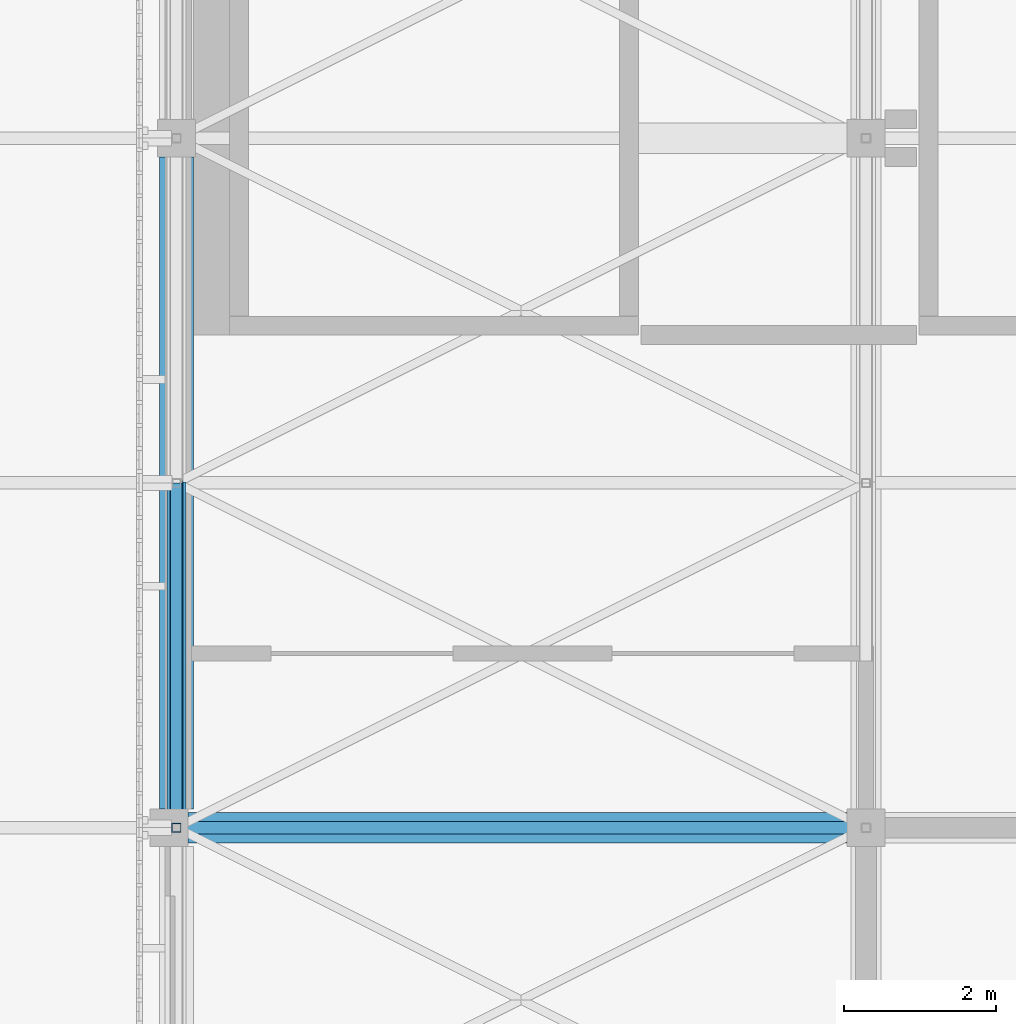
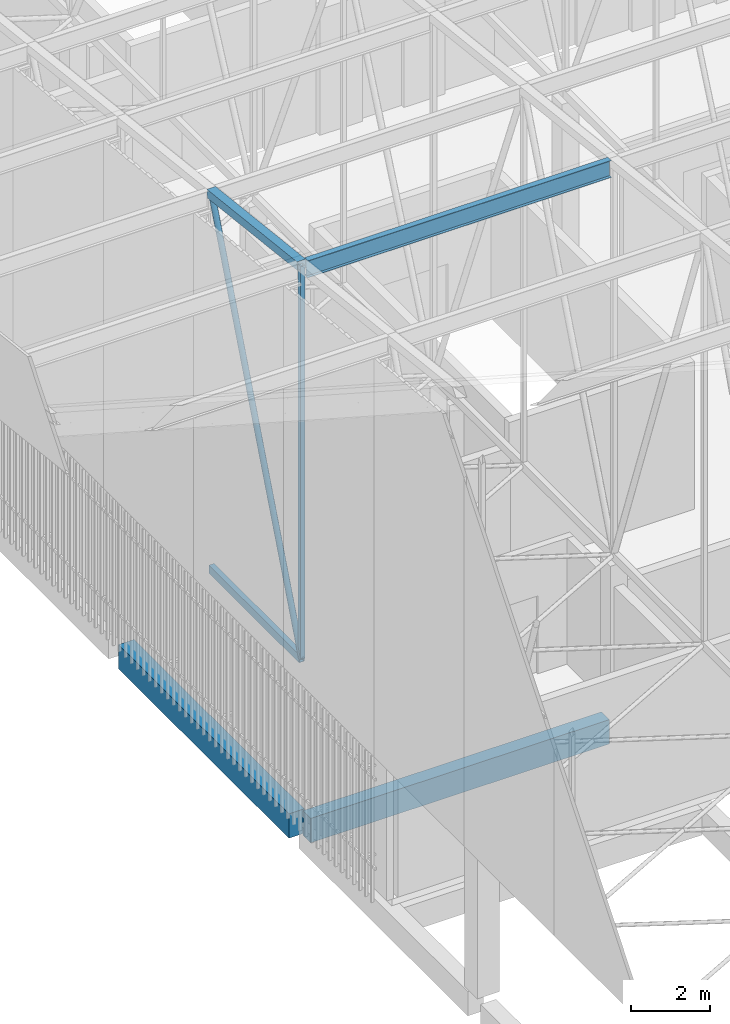
# One storey, part 179 of 500: 5 members, 2 beams.
"""IFC4 building model written with IfcOpenShell, lengths in metres."""

import ifcopenshell
import ifcopenshell.guid

model = None  # the IFC model being written
_history = None  # IfcOwnerHistory: only IFC2X3 demands one
_inside = {}  # id of a spatial element -> (the spatial element, [elements in it])
_under = {}  # id of a project, library or spatial element -> (it, [spatial elements below it])
_declared = {}  # id of a project -> (the project, [libraries it declares])
_typed = {}  # id of a type object -> (the type object, [elements of that type])
_made_of = {}  # id of a material, layer set ... -> (it, [elements and type objects made of it])


def new_model(schema):
    """Start an empty IFC model of exactly this schema.

    Asked for "IFC4X3", IfcOpenShell would pick the latest addendum, in which some entities
    have other attributes; the version numbers below select the first issue.
    IFC2X3 requires an IfcOwnerHistory on every rooted entity: one is made here for all.
    """
    global model, _history
    if schema == "IFC4X3":
        model = ifcopenshell.file(schema_version=(4, 3, 0, 0))
    else:
        model = ifcopenshell.file(schema=schema)
    _inside.clear()
    _under.clear()
    _declared.clear()
    _typed.clear()
    _made_of.clear()
    _history = None
    if model.schema == "IFC2X3":
        org = make("IfcOrganization", Name="unknown")
        user = make(
            "IfcPersonAndOrganization",
            ThePerson=make("IfcPerson", FamilyName="unknown"),
            TheOrganization=org,
        )
        app = make(
            "IfcApplication",
            ApplicationDeveloper=org,
            Version="unknown",
            ApplicationFullName="unknown",
            ApplicationIdentifier="unknown",
        )
        _history = make(
            "IfcOwnerHistory",
            OwningUser=user,
            OwningApplication=app,
            ChangeAction="ADDED",
            CreationDate=0,
        )
    return model


def make(cls, **values):
    """One entity of the class cls with the attributes given. An attribute that is None is left unset."""
    return model.create_entity(
        cls, **{name: value for name, value in values.items() if value is not None}
    )


def rooted(cls, **values):
    """An entity with a GlobalId (a new one), such as an element, a storey or a relation."""
    return make(cls, GlobalId=ifcopenshell.guid.new(), OwnerHistory=_history, **values)


def si_unit(unit_type, name, prefix=None):
    """IfcSIUnit, for example si_unit("LENGTHUNIT", "METRE", prefix="MILLI")."""
    return make("IfcSIUnit", UnitType=unit_type, Prefix=prefix, Name=name)


def assignment(units):
    """IfcUnitAssignment: the units of a project."""
    return None if units is None else make("IfcUnitAssignment", Units=units)


def point(xyz):
    """IfcCartesianPoint."""
    return None if xyz is None else make("IfcCartesianPoint", Coordinates=xyz)


def direction(xyz):
    """IfcDirection."""
    return None if xyz is None else make("IfcDirection", DirectionRatios=xyz)


def frame(location, z_axis=None, x_axis=None):
    """IfcAxis2Placement3D, a coordinate frame: its origin and axes. An axis left out is left unset."""
    return make(
        "IfcAxis2Placement3D",
        Location=point(location),
        Axis=direction(z_axis),
        RefDirection=direction(x_axis),
    )


def frame_2d(location, x_axis=None):
    """IfcAxis2Placement2D, a coordinate frame in the plane: its origin and x axis."""
    return make(
        "IfcAxis2Placement2D", Location=point(location), RefDirection=direction(x_axis)
    )


def origin():
    """The frame at (0, 0, 0) with its axes left unset."""
    return frame((0.0, 0.0, 0.0))


def origin_2d():
    """The frame at (0, 0) in the plane with its x axis left unset."""
    return frame_2d((0.0, 0.0))


def place(relative_to, where):
    """IfcLocalPlacement: puts the frame where relative to a parent placement (None: the world)."""
    return make(
        "IfcLocalPlacement", PlacementRelTo=relative_to, RelativePlacement=where
    )


def context(
    kind, dimensions, precision=None, world=None, true_north=None, identifier=None
):
    """IfcGeometricRepresentationContext, for example the 3D "Model" context."""
    return make(
        "IfcGeometricRepresentationContext",
        ContextIdentifier=identifier,
        ContextType=kind,
        CoordinateSpaceDimension=dimensions,
        Precision=precision,
        WorldCoordinateSystem=world,
        TrueNorth=true_north,
    )


def subcontext(parent, identifier, kind, view, scale=None):
    """IfcGeometricRepresentationSubContext, for example "Body" below "Model"."""
    return make(
        "IfcGeometricRepresentationSubContext",
        ContextIdentifier=identifier,
        ContextType=kind,
        ParentContext=parent,
        TargetScale=scale,
        TargetView=view,
    )


def project(units=None, contexts=None):
    """IfcProject with its units and contexts."""
    return rooted(
        "IfcProject",
        Name="project",
        RepresentationContexts=contexts,
        UnitsInContext=assignment(units),
    )


def spatial(cls, under=None, at=None, **own):
    """A site, building, storey or space (cls), placed at a placement, below another one or the project."""
    s = rooted(cls, ObjectPlacement=at, **own)
    if under is not None:
        _under.setdefault(under.id(), (under, []))[1].append(s)
    return s


def profile(cls, at=None, kind="AREA", **sizes):
    """A parametric profile (cls). Its sizes go by their IFC names, for example OverallWidth=200.0."""
    return make(cls, ProfileType=kind, Position=at, **sizes)


def rectangle(**sizes):
    """IfcRectangleProfileDef."""
    return profile("IfcRectangleProfileDef", **sizes)


def hollow_rectangle(**sizes):
    """IfcRectangleHollowProfileDef."""
    return profile("IfcRectangleHollowProfileDef", **sizes)


def hollow_circle(**sizes):
    """IfcCircleHollowProfileDef."""
    return profile("IfcCircleHollowProfileDef", **sizes)


def i_section(**sizes):
    """IfcIShapeProfileDef."""
    return profile("IfcIShapeProfileDef", **sizes)


def extrude(swept, where, along, depth):
    """IfcExtrudedAreaSolid: the profile swept, set in the frame where, extruded along a direction by depth."""
    return make(
        "IfcExtrudedAreaSolid",
        SweptArea=swept,
        Position=where,
        ExtrudedDirection=direction(along),
        Depth=depth,
    )


def shape(context_of_items, identifier, shape_type, items):
    """IfcShapeRepresentation: the items that make up one representation, for example the "Body"."""
    return make(
        "IfcShapeRepresentation",
        ContextOfItems=context_of_items,
        RepresentationIdentifier=identifier,
        RepresentationType=shape_type,
        Items=items,
    )


def material(Name=None, Category=None):
    """IfcMaterial."""
    return make("IfcMaterial", Name=Name, Category=Category)


def material_profile(
    of_material, cross_section, Name=None, Category=None, Priority=None
):
    """IfcMaterialProfile: a cross section and its material."""
    return make(
        "IfcMaterialProfile",
        Name=Name,
        Material=of_material,
        Profile=cross_section,
        Priority=Priority,
        Category=Category,
    )


def profile_set(profiles, Name=None, composite=None):
    """IfcMaterialProfileSet."""
    return make(
        "IfcMaterialProfileSet",
        Name=Name,
        MaterialProfiles=profiles,
        CompositeProfile=composite,
    )


def made_of(thing, what):
    """Note that an element or type object is made of a material, layer set ...; save() writes the relation."""
    if what is not None:
        _made_of.setdefault(what.id(), (what, []))[1].append(thing)
    return thing


def type_object(cls, material=None, **own):
    """A type object (cls), such as IfcWallType, which elements share."""
    return made_of(rooted(cls, **own), material)


def element(
    cls,
    number,
    at=None,
    inside=None,
    cuts=None,
    type_object=None,
    material=None,
    context=None,
    identifier="Body",
    shape_type=None,
    held_by="IfcProductDefinitionShape",
    body=None,
    shapes=None,
    **own,
):
    """One element of the class cls, such as IfcWall. Its Tag is "e" and its number.

    at: its placement. inside: the storey or other place that contains it. cuts: it is an
    opening in that element (IfcRelVoidsElement). A single representation is given by context,
    identifier, shape_type and body (its items); several are given by shapes. held_by: the class
    of the entity that holds the representations. save() writes the other relations.
    """
    e = rooted(cls, Tag="e%d" % number, ObjectPlacement=at, **own)
    if body is not None:
        shapes = [shape(context, identifier, shape_type, body)]
    if shapes is not None:
        e.Representation = make(held_by, Representations=shapes)
    if inside is not None:
        _inside.setdefault(inside.id(), (inside, []))[1].append(e)
    if cuts is not None:
        rooted(
            "IfcRelVoidsElement", RelatingBuildingElement=cuts, RelatedOpeningElement=e
        )
    if type_object is not None:
        _typed.setdefault(type_object.id(), (type_object, []))[1].append(e)
    return made_of(e, material)


def aggregate(whole, parts):
    """IfcRelAggregates: a whole, such as a stair, and the parts it consists of."""
    return rooted("IfcRelAggregates", RelatingObject=whole, RelatedObjects=parts)


def save(model, path):
    """Write the relations noted so far, then the file.

    IfcRelAggregates (storeys below a building ...), IfcRelContainedInSpatialStructure (elements
    in a storey), IfcRelDefinesByType, IfcRelAssociatesMaterial and IfcRelDeclares: one each for
    every whole, place, type object, material and project.
    """
    for whole, parts in _under.values():
        aggregate(whole, parts)
    for where, things in _inside.values():
        rooted(
            "IfcRelContainedInSpatialStructure",
            RelatedElements=things,
            RelatingStructure=where,
        )
    for kind, things in _typed.values():
        rooted("IfcRelDefinesByType", RelatedObjects=things, RelatingType=kind)
    for what, things in _made_of.values():
        rooted("IfcRelAssociatesMaterial", RelatedObjects=things, RelatingMaterial=what)
    for by, libraries in _declared.values():
        rooted("IfcRelDeclares", RelatingContext=by, RelatedDefinitions=libraries)
    model.write(path)


model = new_model("IFC4")

# Units and contexts
model_context = context("Model", 3, precision=1e-05, world=origin(), true_north=direction((0.0, 1.0)))
body_context = subcontext(model_context, "Body", "Model", "MODEL_VIEW")
ifc_project = project(units=[si_unit("LENGTHUNIT", "METRE"), si_unit("AREAUNIT", "SQUARE_METRE"), si_unit("VOLUMEUNIT", "CUBIC_METRE"), si_unit("PLANEANGLEUNIT", "RADIAN"), si_unit("MASSUNIT", "GRAM", prefix="KILO")], contexts=[model_context])

# Site, building, storey
site_placement = place(None, origin())
site = spatial("IfcSite", under=ifc_project, at=site_placement, CompositionType="ELEMENT")
building_placement = place(site_placement, origin())
building = spatial("IfcBuilding", under=site, at=building_placement, Name="Shirokan Park Arena", CompositionType="ELEMENT")
storey_placement = place(building_placement, frame((0.0, 0.0, 29.1201171875)))
storey = spatial("IfcBuildingStorey", under=building, at=storey_placement, Name="L06", CompositionType="ELEMENT", Elevation=29.1201171875)

# Members
ifc_material_1 = material(Name="Steel ASTM A500 Grade C", Category="steel")
ifc_material_profile_1 = material_profile(ifc_material_1, hollow_rectangle(XDim=0.152099609375, YDim=0.25390625, WallThickness=0.009521484375, at=origin_2d()), Name="HSS254X152.4X9.5")
ifc_profile_set_1 = profile_set([ifc_material_profile_1], Name="Steel ASTM A500 Grade C")
member_type_1 = type_object("IfcMemberType", Name="Bottom chord HSS254X152.4X9.5", PredefinedType="CHORD", material=ifc_profile_set_1)
member_1_placement = place(storey_placement, frame((0.0, 72.800048828125, 4.677001953125), z_axis=(0.0, 1.0, 0.0), x_axis=(-1.0, 0.0, 0.0)))
element("IfcMember", 1, at=member_1_placement, inside=storey, type_object=member_type_1, Name="Truss T01 bottom chord 19", PredefinedType="CHORD", context=body_context, shape_type="SweptSolid", body=[
    extrude(hollow_rectangle(XDim=0.152099609375, YDim=0.25390625, WallThickness=0.009521484375, at=origin_2d()), origin(), (0.0, 0.0, 1.0), 4.550048828125),
])
ifc_material_2 = material(Name="Steel ASTM A992", Category="steel")
ifc_material_profile_2 = material_profile(ifc_material_2, i_section(OverallWidth=0.166015625, OverallDepth=0.528076171875, WebThickness=0.009765625, FlangeThickness=0.013671875, at=origin_2d()), Name="W530X74")
ifc_profile_set_2 = profile_set([ifc_material_profile_2], Name="Steel ASTM A992")
member_type_2 = type_object("IfcMemberType", Name="Purlin W530X74", PredefinedType="PURLIN", material=ifc_profile_set_2)
member_2_placement = place(storey_placement, frame((0.126953125, 72.800048828125, 16.64599609375), z_axis=(1.0, 0.0, 0.0), x_axis=(0.0, 1.0, 0.0)))
element("IfcMember", 2, at=member_2_placement, inside=storey, type_object=member_type_2, Name="Purlin 19 bay 1", PredefinedType="PURLIN", context=body_context, shape_type="SweptSolid", body=[
    extrude(i_section(OverallWidth=0.166015625, OverallDepth=0.528076171875, WebThickness=0.009765625, FlangeThickness=0.013671875, at=origin_2d()), origin(), (0.0, 0.0, 1.0), 8.845947265625),
])

# Beams
ifc_material_3 = material(Name="Concrete C35", Category="concrete")
ifc_material_profile_3 = material_profile(ifc_material_3, rectangle(XDim=0.39990234375, YDim=0.75, at=origin_2d()), Name="400x750")
ifc_profile_set_3 = profile_set([ifc_material_profile_3], Name="Concrete C35")
beam_type_1 = type_object("IfcBeamType", Name="RC girder 400x750", PredefinedType="BEAM", material=ifc_profile_set_3)
beam_1_placement = place(storey_placement, frame((0.150146484375, 72.800048828125, -0.5751953125), z_axis=(1.0, 0.0, 0.0), x_axis=(0.0, 1.0, 0.0)))
element("IfcBeam", 3, at=beam_1_placement, inside=storey, type_object=beam_type_1, Name="Girder 1J-2J L06", PredefinedType="BEAM", context=body_context, shape_type="SweptSolid", body=[
    extrude(rectangle(XDim=0.39990234375, YDim=0.75, at=origin_2d()), origin(), (0.0, 0.0, 1.0), 8.69970703125),
])
ifc_material_profile_4 = material_profile(ifc_material_3, rectangle(XDim=0.449951171875, YDim=0.75, at=origin_2d()), Name="450x750")
ifc_profile_set_4 = profile_set([ifc_material_profile_4], Name="Concrete C35")
beam_type_2 = type_object("IfcBeamType", Name="RC girder 450x750", PredefinedType="BEAM", material=ifc_profile_set_4)
beam_2_placement = place(storey_placement, frame((0.0, 73.050048828125, -0.5751953125), z_axis=(0.0, 1.0, 0.0), x_axis=(-1.0, 0.0, 0.0)))
element("IfcBeam", 4, at=beam_2_placement, inside=storey, type_object=beam_type_2, Name="Girder 1J-1K L06", PredefinedType="BEAM", context=body_context, shape_type="SweptSolid", body=[
    extrude(rectangle(XDim=0.449951171875, YDim=0.75, at=origin_2d()), origin(), (0.0, 0.0, 1.0), 8.599853515625),
])

# Members
ifc_material_profile_5 = material_profile(ifc_material_1, hollow_rectangle(XDim=0.25390625, YDim=0.25390625, WallThickness=0.009521484375, at=origin_2d()), Name="HSS254X254X9.5")
ifc_profile_set_5 = profile_set([ifc_material_profile_5], Name="Steel ASTM A500 Grade C")
member_type_3 = type_object("IfcMemberType", Name="Top chord HSS254X254X9.5", PredefinedType="CHORD", material=ifc_profile_set_5)
member_3_placement = place(storey_placement, frame((0.0, 72.800048828125, 16.782958984375), z_axis=(0.0, 0.993532328996, -0.113549598152), x_axis=(-1.0, 0.0, 0.0)))
element("IfcMember", 5, at=member_3_placement, inside=storey, type_object=member_type_3, Name="Truss T01 top chord 19", PredefinedType="CHORD", context=body_context, shape_type="SweptSolid", body=[
    extrude(hollow_rectangle(XDim=0.25390625, YDim=0.25390625, WallThickness=0.009521484375, at=origin_2d()), origin(), (0.0, 0.0, 1.0), 4.57958984375),
])
ifc_material_profile_6 = material_profile(ifc_material_1, hollow_circle(Radius=0.083984375, WallThickness=0.009521484375, at=origin_2d()), Name="HSS168.3X9.5")
ifc_profile_set_6 = profile_set([ifc_material_profile_6], Name="Steel ASTM A500 Grade C")
member_type_4 = type_object("IfcMemberType", Name="Truss diagonal HSS168.3X9.5", PredefinedType="BRACE", material=ifc_profile_set_6)
member_4_placement = place(storey_placement, frame((0.0, 72.800048828125, 4.677001953125), z_axis=(0.0, 0.365543139237, 0.930794399079), x_axis=(-1.0, 0.0, 0.0)))
element("IfcMember", 6, at=member_4_placement, inside=storey, type_object=member_type_4, Name="Truss T01 diagonal 19", PredefinedType="BRACE", context=body_context, shape_type="SweptSolid", body=[
    extrude(hollow_circle(Radius=0.083984375, WallThickness=0.009521484375, at=origin_2d()), origin(), (0.0, 0.0, 1.0), 12.447265625),
])
ifc_material_profile_7 = material_profile(ifc_material_1, hollow_rectangle(XDim=0.126953125, YDim=0.126953125, WallThickness=0.0126953125, at=origin_2d()), Name="HSS127X127X12.7")
ifc_profile_set_7 = profile_set([ifc_material_profile_7], Name="Steel ASTM A500 Grade C")
member_type_5 = type_object("IfcMemberType", Name="Truss post HSS127X127X12.7", PredefinedType="POST", material=ifc_profile_set_7)
member_5_placement = place(storey_placement, frame((0.0, 72.800048828125, 4.677001953125), z_axis=(0.0, 0.0, 1.0), x_axis=(1.0, 0.0, 0.0)))
element("IfcMember", 7, at=member_5_placement, inside=storey, type_object=member_type_5, Name="Truss T01 post 19", PredefinedType="POST", context=body_context, shape_type="SweptSolid", body=[
    extrude(hollow_rectangle(XDim=0.126953125, YDim=0.126953125, WallThickness=0.0126953125, at=origin_2d()), origin(), (0.0, 0.0, 1.0), 12.10595703125),
])

save(model, "model.ifc")
